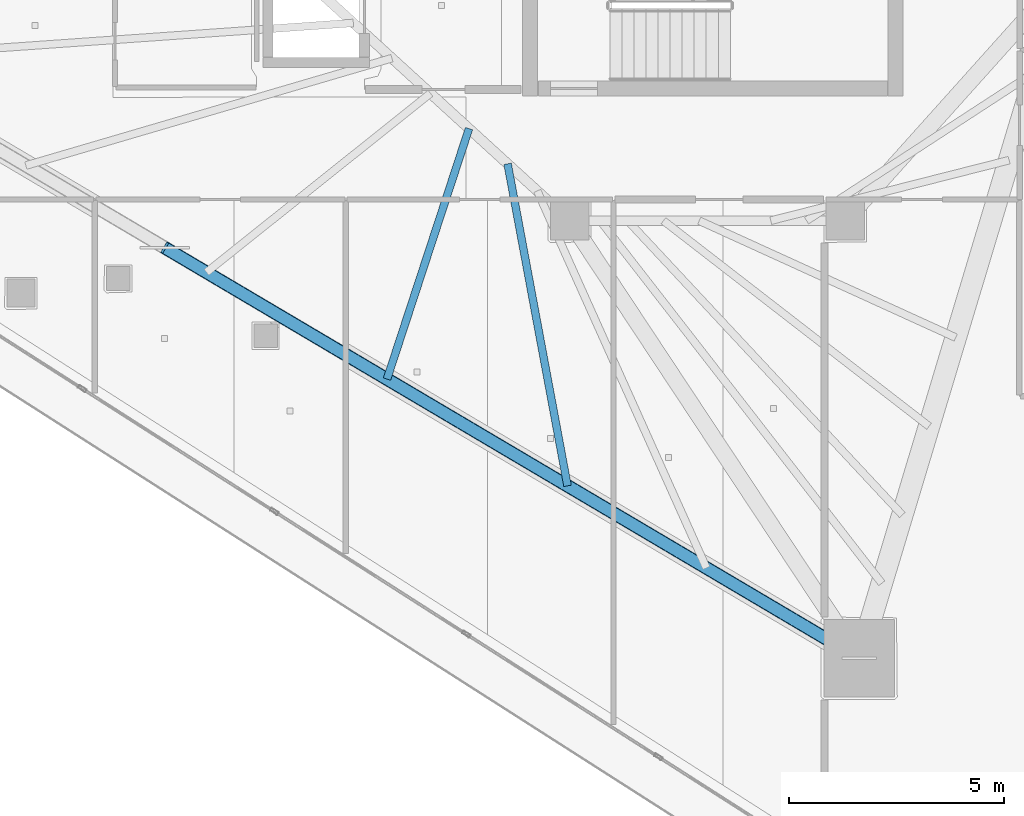
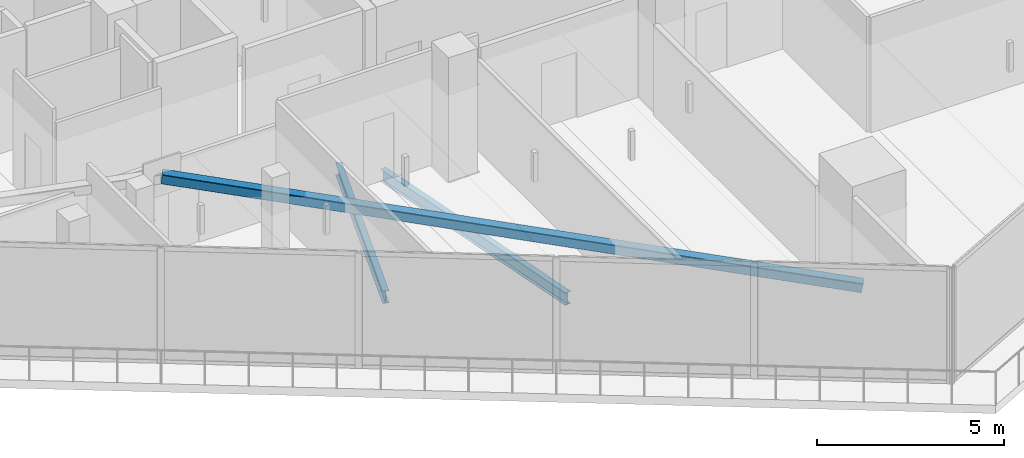
# One storey, part 6 of 40: 2 beams, 1 member.
"""IFC4 building model written with IfcOpenShell, lengths in metres."""

from ifc_helpers import new_model, si_unit, direction, frame, origin, origin_2d, place, context, subcontext, project, spatial, hollow_rectangle, i_section, extrude, material, material_profile, profile_set, type_object, element, save


model = new_model("IFC4")

# Units and contexts
model_context = context("Model", 3, precision=1e-05, world=origin(), true_north=direction((0.0, 1.0)))
body_context = subcontext(model_context, "Body", "Model", "MODEL_VIEW")
ifc_project = project(units=[si_unit("LENGTHUNIT", "METRE"), si_unit("AREAUNIT", "SQUARE_METRE"), si_unit("VOLUMEUNIT", "CUBIC_METRE"), si_unit("PLANEANGLEUNIT", "RADIAN"), si_unit("MASSUNIT", "GRAM", prefix="KILO")], contexts=[model_context])

# Site, building, storey
site_placement = place(None, origin())
site = spatial("IfcSite", under=ifc_project, at=site_placement, CompositionType="ELEMENT")
building_placement = place(site_placement, origin())
building = spatial("IfcBuilding", under=site, at=building_placement, Name="Qorvath Tower", CompositionType="ELEMENT")
storey_placement = place(building_placement, frame((0.0, 0.0, 225.300048828125)))
storey = spatial("IfcBuildingStorey", under=building, at=storey_placement, Name="L52", CompositionType="ELEMENT", Elevation=225.300048828125)

# Beams
ifc_material_1 = material(Name="Steel ASTM A992 Grade 50", Category="steel")
ifc_material_profile_1 = material_profile(ifc_material_1, i_section(OverallWidth=0.177978515625, OverallDepth=0.406005859375, WebThickness=0.0078125, FlangeThickness=0.0126953125, FilletRadius=0.010986328125, at=origin_2d()), Name="W16x40")
ifc_profile_set_1 = profile_set([ifc_material_profile_1], Name="Steel ASTM A992 Grade 50")
beam_type = type_object("IfcBeamType", Name="BM-FJ3", PredefinedType="JOIST", material=ifc_profile_set_1)
beam_1_placement = place(storey_placement, frame((-25.946044921875, -9.30810546875, -0.47314453125), z_axis=(-0.311228747452, -0.950335028692, 0.0), x_axis=(0.950335028692, -0.311228747452, 0.0)))
element("IfcBeam", 1, at=beam_1_placement, inside=storey, type_object=beam_type, Name="Composite Floor Joist SW5 L52", PredefinedType="JOIST", context=body_context, shape_type="SweptSolid", body=[
    extrude(i_section(OverallWidth=0.177978515625, OverallDepth=0.406005859375, WebThickness=0.0078125, FlangeThickness=0.0126953125, FilletRadius=0.010986328125, at=origin_2d()), origin(), (0.0, 0.0, 1.0), 6.129638671875),
])
beam_2_placement = place(storey_placement, frame((-25.049072265625, -10.126953125, -0.47314453125), z_axis=(0.183026775988, -0.983107928598, 0.0), x_axis=(0.983107928598, 0.183026775988, 0.0)))
element("IfcBeam", 2, at=beam_2_placement, inside=storey, type_object=beam_type, Name="Composite Floor Joist SW6 L52", PredefinedType="JOIST", context=body_context, shape_type="SweptSolid", body=[
    extrude(i_section(OverallWidth=0.177978515625, OverallDepth=0.406005859375, WebThickness=0.0078125, FlangeThickness=0.0126953125, FilletRadius=0.010986328125, at=origin_2d()), origin(), (0.0, 0.0, 1.0), 7.617919921875),
])

# Member
ifc_material_2 = material(Name="Steel ASTM A500 Grade C", Category="steel")
ifc_material_profile_2 = material_profile(ifc_material_2, hollow_rectangle(XDim=0.3046875, YDim=0.3046875, WallThickness=0.0126953125, InnerFilletRadius=0.0126953125, OuterFilletRadius=0.025390625, at=origin_2d()), Name="HSS 305x305x12.7")
ifc_profile_set_2 = profile_set([ifc_material_profile_2], Name="Steel ASTM A500 Grade C")
member_type = type_object("IfcMemberType", Name="MEM-MB3", PredefinedType="BRACE", material=ifc_profile_set_2)
member_placement = place(storey_placement, frame((-16.87158203125, -21.627197265625, 0.0), z_axis=(-0.846741468388, 0.500689925738, 0.179829040973), x_axis=(-0.508987501872, -0.860773909304, 0.0)))
element("IfcMember", 3, at=member_placement, inside=storey, type_object=member_type, Name="Perimeter Chevron Brace L52-2B", PredefinedType="BRACE", context=body_context, shape_type="SweptSolid", body=[
    extrude(hollow_rectangle(XDim=0.3046875, YDim=0.3046875, WallThickness=0.0126953125, InnerFilletRadius=0.0126953125, OuterFilletRadius=0.025390625, at=origin_2d()), origin(), (0.0, 0.0, 1.0), 19.0732421875),
])

save(model, "model.ifc")
